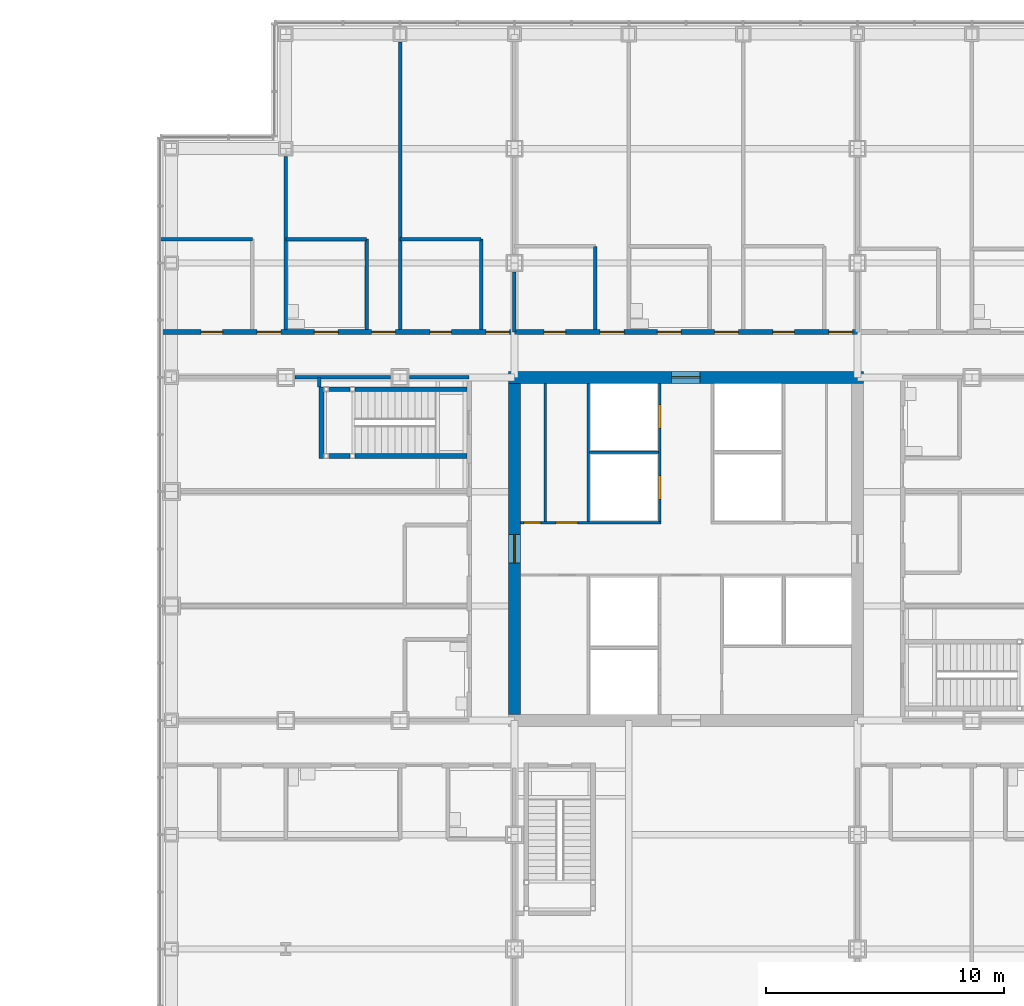
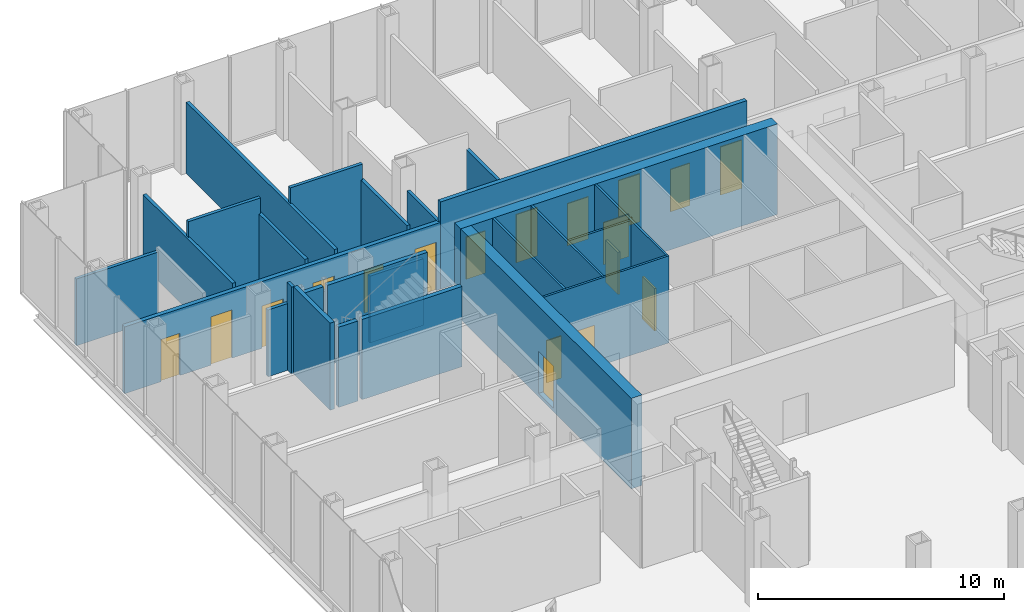
# One storey, part 21 of 25: 26 walls, 18 doors, 18 openings.
"""IFC4 building model written with IfcOpenShell, lengths in metres."""

from ifc_helpers import new_model, si_unit, direction, frame, frame_2d, origin, place, context, subcontext, project, spatial, rectangle, extrude, material, layer, layer_set, type_object, element, fill, save


model = new_model("IFC4")

# Units and contexts
model_context = context("Model", 3, precision=1e-05, world=origin(), true_north=direction((0.0, 1.0)))
body_context = subcontext(model_context, "Body", "Model", "MODEL_VIEW")
ifc_project = project(units=[si_unit("LENGTHUNIT", "METRE"), si_unit("AREAUNIT", "SQUARE_METRE"), si_unit("VOLUMEUNIT", "CUBIC_METRE"), si_unit("PLANEANGLEUNIT", "RADIAN"), si_unit("MASSUNIT", "GRAM", prefix="KILO")], contexts=[model_context])

# Site, building, storey
site_placement = place(None, origin())
site = spatial("IfcSite", under=ifc_project, at=site_placement, CompositionType="ELEMENT")
building_placement = place(site_placement, origin())
building = spatial("IfcBuilding", under=site, at=building_placement, Name="Kvirike Care Tower", CompositionType="ELEMENT")
storey_placement = place(building_placement, frame((0.0, 0.0, 13.5)))
storey = spatial("IfcBuildingStorey", under=building, at=storey_placement, Name="L03", CompositionType="ELEMENT", Elevation=13.5)

# Walls
ifc_material_1 = material(Name="Plasterboard partition", Category="gypsum")
ifc_layer_1 = layer(ifc_material_1, 0.14990234375)
ifc_layer_set_1 = layer_set([ifc_layer_1], Name="CLINIC PARTITION 150")
wall_type_1 = type_object("IfcWallType", Name="CLINIC PARTITION 150", PredefinedType="PARTITIONING", material=ifc_layer_set_1)
wall_1_placement = place(storey_placement, frame((6.199951171875, 43.199951171875, 0.0), z_axis=(0.0, 0.0, 1.0), x_axis=(0.0, -1.0, 0.0)))
element("IfcWall", 1, at=wall_1_placement, inside=storey, type_object=wall_type_1, Name="Clinic Partition 150 L03", PredefinedType="PARTITIONING", context=body_context, shape_type="SweptSolid", body=[
    extrude(rectangle(XDim=0.39990234375, YDim=0.14990234375, at=frame_2d((0.199951171875, 0.0))), origin(), (0.0, 0.0, 1.0), 4.330078125),
])
wall_2_placement = place(storey_placement, frame((13.0, 49.0, 0.0), z_axis=(0.0, 0.0, 1.0), x_axis=(0.0, -1.0, 0.0)))
element("IfcWall", 2, at=wall_2_placement, inside=storey, type_object=wall_type_1, Name="Clinic Partition 150 L03", PredefinedType="PARTITIONING", context=body_context, shape_type="SweptSolid", body=[
    extrude(rectangle(XDim=3.800048828125, YDim=0.14990234375, at=frame_2d((1.89990234375, 0.0))), origin(), (0.0, 0.0, 1.0), 3.550048828125),
])
wall_3_placement = place(storey_placement, frame((13.0, 49.0, 0.0), z_axis=(0.0, 0.0, 1.0), x_axis=(-1.0, 0.0, 0.0)))
element("IfcWall", 3, at=wall_3_placement, inside=storey, type_object=wall_type_1, Name="Clinic Partition 150 L03", PredefinedType="PARTITIONING", context=body_context, shape_type="SweptSolid", body=[
    extrude(rectangle(XDim=3.39990234375, YDim=0.14990234375, at=frame_2d((1.699951171875, 0.0))), origin(), (0.0, 0.0, 1.0), 4.330078125),
])
wall_4_placement = place(storey_placement, frame((8.199951171875, 49.0, 0.0), z_axis=(0.0, 0.0, 1.0), x_axis=(0.0, -1.0, 0.0)))
element("IfcWall", 4, at=wall_4_placement, inside=storey, type_object=wall_type_1, Name="Clinic Partition 150 L03", PredefinedType="PARTITIONING", context=body_context, shape_type="SweptSolid", body=[
    extrude(rectangle(XDim=3.800048828125, YDim=0.14990234375, at=frame_2d((1.89990234375, 0.0))), origin(), (0.0, 0.0, 1.0), 3.550048828125),
])
wall_5_placement = place(storey_placement, frame((8.199951171875, 49.0, 0.0), z_axis=(0.0, 0.0, 1.0), x_axis=(-1.0, 0.0, 0.0)))
element("IfcWall", 5, at=wall_5_placement, inside=storey, type_object=wall_type_1, Name="Clinic Partition 150 L03", PredefinedType="PARTITIONING", context=body_context, shape_type="SweptSolid", body=[
    extrude(rectangle(XDim=3.39990234375, YDim=0.14990234375, at=frame_2d((1.699951171875, 0.0))), origin(), (0.0, 0.0, 1.0), 4.330078125),
])
wall_6_placement = place(storey_placement, frame((3.39990234375, 49.0, 0.0), z_axis=(0.0, 0.0, 1.0), x_axis=(-1.0, 0.0, 0.0)))
element("IfcWall", 6, at=wall_6_placement, inside=storey, type_object=wall_type_1, Name="Clinic Partition 150 L03", PredefinedType="PARTITIONING", context=body_context, shape_type="SweptSolid", body=[
    extrude(rectangle(XDim=3.85498046875, YDim=0.14990234375, at=frame_2d((1.927490234375, 0.0))), origin(), (0.0, 0.0, 1.0), 3.320068359375),
])
wall_7_placement = place(storey_placement, frame((9.60009765625, 57.280029296875, 0.0), z_axis=(0.0, 0.0, 1.0), x_axis=(0.0, -1.0, 0.0)))
element("IfcWall", 7, at=wall_7_placement, inside=storey, type_object=wall_type_1, Name="Clinic Partition 150 L03", PredefinedType="PARTITIONING", context=body_context, shape_type="SweptSolid", body=[
    extrude(rectangle(XDim=12.080078125, YDim=0.14990234375, at=frame_2d((6.0400390625, 0.0))), origin(), (0.0, 0.0, 1.0), 3.550048828125),
])
wall_8_placement = place(storey_placement, frame((4.800048828125, 52.47998046875, 0.0), z_axis=(0.0, 0.0, 1.0), x_axis=(0.0, -1.0, 0.0)))
element("IfcWall", 8, at=wall_8_placement, inside=storey, type_object=wall_type_1, Name="Clinic Partition 150 L03", PredefinedType="PARTITIONING", context=body_context, shape_type="SweptSolid", body=[
    extrude(rectangle(XDim=7.280029296875, YDim=0.14990234375, at=frame_2d((3.64013671875, 0.0))), origin(), (0.0, 0.0, 1.0), 3.550048828125),
])
wall_9_placement = place(storey_placement, frame((17.800048828125, 48.699951171875, 0.0), z_axis=(0.0, 0.0, 1.0), x_axis=(0.0, -1.0, 0.0)))
element("IfcWall", 9, at=wall_9_placement, inside=storey, type_object=wall_type_1, Name="Clinic Partition 150 L03", PredefinedType="PARTITIONING", context=body_context, shape_type="SweptSolid", body=[
    extrude(rectangle(XDim=3.5, YDim=0.14990234375, at=frame_2d((1.75, 0.0))), origin(), (0.0, 0.0, 1.0), 3.550048828125),
])
wall_10_placement = place(storey_placement, frame((12.5, 43.199951171875, 0.0), z_axis=(0.0, 0.0, 1.0), x_axis=(-1.0, 0.0, 0.0)))
element("IfcWall", 10, at=wall_10_placement, inside=storey, type_object=wall_type_1, Name="Clinic Partition 150 L03", PredefinedType="PARTITIONING", context=body_context, shape_type="SweptSolid", body=[
    extrude(rectangle(XDim=2.5048828125, YDim=0.14990234375, at=frame_2d((1.25244140625, 0.0))), origin(), (0.0, 0.0, 1.0), 3.320068359375),
])
wall_11_placement = place(storey_placement, frame((9.205078125, 43.199951171875, 0.0), z_axis=(0.0, 0.0, 1.0), x_axis=(-1.0, 0.0, 0.0)))
element("IfcWall", 11, at=wall_11_placement, inside=storey, type_object=wall_type_1, Name="Clinic Partition 150 L03", PredefinedType="PARTITIONING", context=body_context, shape_type="SweptSolid", body=[
    extrude(rectangle(XDim=4.010009765625, YDim=0.14990234375, at=frame_2d((2.0048828125, 0.0))), origin(), (0.0, 0.0, 1.0), 3.320068359375),
])
wall_12_placement = place(storey_placement, frame((14.39990234375, 45.10009765625, 0.0), z_axis=(0.0, 0.0, 1.0), x_axis=(0.0, 1.0, 0.0)))
element("IfcWall", 12, at=wall_12_placement, inside=storey, type_object=wall_type_1, Name="Clinic Partition 150 L03", PredefinedType="PARTITIONING", context=body_context, shape_type="SweptSolid", body=[
    extrude(rectangle(XDim=2.52978515625, YDim=0.14990234375, at=frame_2d((1.264892578125, 0.0))), origin(), (0.0, 0.0, 1.0), 3.320068359375),
])

# Wall, opening, door
ifc_material_2 = material(Name="Concrete C60/75", Category="concrete")
ifc_layer_2 = layer(ifc_material_2, 0.5)
ifc_layer_set_2 = layer_set([ifc_layer_2], Name="CORE WALL 500 C60-75")
wall_type_2 = type_object("IfcWallType", Name="CORE WALL 500 C60-75", PredefinedType="SHEAR", material=ifc_layer_set_2)
wall_13_placement = place(storey_placement, frame((29.050048828125, 43.199951171875, -0.169921875), z_axis=(0.0, 0.0, 1.0), x_axis=(-1.0, 0.0, 0.0)))
wall_13 = element("IfcWall", 13, at=wall_13_placement, inside=storey, type_object=wall_type_2, Name="Core wall N L03", PredefinedType="SHEAR", context=body_context, shape_type="SweptSolid", body=[
    extrude(rectangle(XDim=14.900146484375, YDim=0.5, at=frame_2d((7.4501953125, 0.0))), origin(), (0.0, 0.0, 1.0), 4.5),
])
opening_1_placement = place(wall_13_placement, frame((6.85009765625, 0.0, 0.169921875)))
opening_1 = element("IfcOpeningElement", 14, at=opening_1_placement, cuts=wall_13, Name="Opening 03-061", PredefinedType="OPENING", context=body_context, shape_type="SweptSolid", body=[
    extrude(rectangle(XDim=1.199951171875, YDim=2.10009765625, at=frame_2d((0.60009765625, 1.050048828125))), frame((0.0, 0.260498046875, 0.0), z_axis=(0.0, -1.0, 0.0), x_axis=(1.0, 0.0, 0.0)), (0.0, 0.0, 1.0), 0.52099609375),
])
ifc_material_3 = material(Name="Timber door set", Category="wood")
door_type_1 = type_object("IfcDoorType", Name="CORE DOOR 1200", OperationType="SINGLE_SWING_LEFT", PredefinedType="DOOR", material=ifc_material_3)
door_1_placement = place(opening_1_placement, origin())
door_1 = element("IfcDoor", 15, at=door_1_placement, inside=storey, type_object=door_type_1, Name="Core door N L03", OperationType="SINGLE_SWING_LEFT", OverallHeight=2.10009765625, OverallWidth=1.199951171875, PredefinedType="DOOR", context=body_context, shape_type="SweptSolid", body=[
    extrude(rectangle(XDim=1.199951171875, YDim=2.10009765625, at=frame_2d((0.60009765625, 1.050048828125))), frame((0.0, 0.02685546875, 0.0), z_axis=(0.0, -1.0, 0.0), x_axis=(1.0, 0.0, 0.0)), (0.0, 0.0, 1.0), 0.053955078125),
])
fill(opening_1, door_1)

wall_14_placement = place(storey_placement, frame((14.39990234375, 42.949951171875, -0.169921875), z_axis=(0.0, 0.0, 1.0), x_axis=(0.0, -1.0, 0.0)))
wall_14 = element("IfcWall", 16, at=wall_14_placement, inside=storey, type_object=wall_type_2, Name="Core wall W L03", PredefinedType="SHEAR", context=body_context, shape_type="SweptSolid", body=[
    extrude(rectangle(XDim=13.89990234375, YDim=0.5, at=frame_2d((6.949951171875, 0.0))), origin(), (0.0, 0.0, 1.0), 4.5),
])
opening_2_placement = place(wall_14_placement, frame((6.35009765625, 0.0, 0.169921875)))
opening_2 = element("IfcOpeningElement", 17, at=opening_2_placement, cuts=wall_14, Name="Opening 03-059", PredefinedType="OPENING", context=body_context, shape_type="SweptSolid", body=[
    extrude(rectangle(XDim=1.199951171875, YDim=2.10009765625, at=frame_2d((0.60009765625, 1.050048828125))), frame((0.0, 0.260498046875, 0.0), z_axis=(0.0, -1.0, 0.0), x_axis=(1.0, 0.0, 0.0)), (0.0, 0.0, 1.0), 0.52099609375),
])
door_2_placement = place(opening_2_placement, origin())
door_2 = element("IfcDoor", 18, at=door_2_placement, inside=storey, type_object=door_type_1, Name="Core door W L03", OperationType="SINGLE_SWING_LEFT", OverallHeight=2.10009765625, OverallWidth=1.199951171875, PredefinedType="DOOR", context=body_context, shape_type="SweptSolid", body=[
    extrude(rectangle(XDim=1.199951171875, YDim=2.10009765625, at=frame_2d((0.60009765625, 1.050048828125))), frame((0.0, 0.02685546875, 0.0), z_axis=(0.0, -1.0, 0.0), x_axis=(1.0, 0.0, 0.0)), (0.0, 0.0, 1.0), 0.053955078125),
])
fill(opening_2, door_2)

# Wall, openings, doors
ifc_material_4 = material(Name="Plasterboard corridor wall", Category="gypsum")
ifc_layer_3 = layer(ifc_material_4, 0.199951171875)
ifc_layer_set_3 = layer_set([ifc_layer_3], Name="CORRIDOR WALL 200")
wall_type_3 = type_object("IfcWallType", Name="CORRIDOR WALL 200", PredefinedType="PARTITIONING", material=ifc_layer_set_3)
wall_15_placement = place(storey_placement, frame((14.39990234375, 45.10009765625, 0.0), z_axis=(0.0, 0.0, 1.0), x_axis=(-1.0, 0.0, 0.0)))
wall_15 = element("IfcWall", 19, at=wall_15_placement, inside=storey, type_object=wall_type_3, Name="Corridor Wall 200 L03", PredefinedType="PARTITIONING", context=body_context, shape_type="SweptSolid", body=[
    extrude(rectangle(XDim=14.85498046875, YDim=0.199951171875, at=frame_2d((7.427490234375, 0.0))), origin(), (0.0, 0.0, 1.0), 3.320068359375),
])
opening_3_placement = place(wall_15_placement, frame((0.199951171875, 0.0, 0.0)))
opening_3 = element("IfcOpeningElement", 20, at=opening_3_placement, cuts=wall_15, Name="Opening 03-012", PredefinedType="OPENING", context=body_context, shape_type="SweptSolid", body=[
    extrude(rectangle(XDim=1.0, YDim=2.39990234375, at=frame_2d((0.5, 1.199951171875))), frame((0.0, 0.110595703125, 0.0), z_axis=(0.0, -1.0, 0.0), x_axis=(1.0, 0.0, 0.0)), (0.0, 0.0, 1.0), 0.220947265625),
])
opening_4_placement = place(wall_15_placement, frame((5.0, 0.0, 0.0)))
opening_4 = element("IfcOpeningElement", 21, at=opening_4_placement, cuts=wall_15, Name="Opening 03-013", PredefinedType="OPENING", context=body_context, shape_type="SweptSolid", body=[
    extrude(rectangle(XDim=1.0, YDim=2.39990234375, at=frame_2d((0.5, 1.199951171875))), frame((0.0, 0.110595703125, 0.0), z_axis=(0.0, -1.0, 0.0), x_axis=(1.0, 0.0, 0.0)), (0.0, 0.0, 1.0), 0.220947265625),
])
opening_5_placement = place(wall_15_placement, frame((9.800048828125, 0.0, 0.0)))
opening_5 = element("IfcOpeningElement", 22, at=opening_5_placement, cuts=wall_15, Name="Opening 03-014", PredefinedType="OPENING", context=body_context, shape_type="SweptSolid", body=[
    extrude(rectangle(XDim=1.0, YDim=2.39990234375, at=frame_2d((0.5, 1.199951171875))), frame((0.0, 0.110595703125, 0.0), z_axis=(0.0, -1.0, 0.0), x_axis=(1.0, 0.0, 0.0)), (0.0, 0.0, 1.0), 0.220947265625),
])
opening_6_placement = place(wall_15_placement, frame((2.64990234375, 0.0, 0.0)))
opening_6 = element("IfcOpeningElement", 23, at=opening_6_placement, cuts=wall_15, Name="Opening 03-015", PredefinedType="OPENING", context=body_context, shape_type="SweptSolid", body=[
    extrude(rectangle(XDim=0.89990234375, YDim=2.10009765625, at=frame_2d((0.449951171875, 1.050048828125))), frame((0.0, 0.110595703125, 0.0), z_axis=(0.0, -1.0, 0.0), x_axis=(1.0, 0.0, 0.0)), (0.0, 0.0, 1.0), 0.220947265625),
])
opening_7_placement = place(wall_15_placement, frame((7.39990234375, 0.0, 0.0)))
opening_7 = element("IfcOpeningElement", 24, at=opening_7_placement, cuts=wall_15, Name="Opening 03-016", PredefinedType="OPENING", context=body_context, shape_type="SweptSolid", body=[
    extrude(rectangle(XDim=1.0, YDim=2.10009765625, at=frame_2d((0.5, 1.050048828125))), frame((0.0, 0.110595703125, 0.0), z_axis=(0.0, -1.0, 0.0), x_axis=(1.0, 0.0, 0.0)), (0.0, 0.0, 1.0), 0.220947265625),
])
opening_8_placement = place(wall_15_placement, frame((12.25, 0.0, 0.0)))
opening_8 = element("IfcOpeningElement", 25, at=opening_8_placement, cuts=wall_15, Name="Opening 03-017", PredefinedType="OPENING", context=body_context, shape_type="SweptSolid", body=[
    extrude(rectangle(XDim=0.89990234375, YDim=2.10009765625, at=frame_2d((0.449951171875, 1.050048828125))), frame((0.0, 0.110595703125, 0.0), z_axis=(0.0, -1.0, 0.0), x_axis=(1.0, 0.0, 0.0)), (0.0, 0.0, 1.0), 0.220947265625),
])
ifc_material_5 = material(Name="Timber door set", Category="wood")
door_type_2 = type_object("IfcDoorType", Name="CONSULTING ROOM DOOR 1000", OperationType="SINGLE_SWING_LEFT", PredefinedType="DOOR", material=ifc_material_5)
door_3_placement = place(opening_3_placement, frame((1.0, 0.0, 0.0), z_axis=(0.0, 0.0, 1.0), x_axis=(-1.0, 0.0, 0.0)))
door_3 = element("IfcDoor", 26, at=door_3_placement, inside=storey, type_object=door_type_2, Name="Restaurant kitchen door", OperationType="SINGLE_SWING_RIGHT", OverallHeight=2.39990234375, OverallWidth=1.0, PredefinedType="DOOR", context=body_context, shape_type="SweptSolid", body=[
    extrude(rectangle(XDim=1.0, YDim=2.39990234375, at=frame_2d((0.5, 1.199951171875))), frame((0.0, 0.02685546875, 0.0), z_axis=(0.0, -1.0, 0.0), x_axis=(1.0, 0.0, 0.0)), (0.0, 0.0, 1.0), 0.053955078125),
])
fill(opening_3, door_3)
door_4_placement = place(opening_4_placement, frame((1.0, 0.0, 0.0), z_axis=(0.0, 0.0, 1.0), x_axis=(-1.0, 0.0, 0.0)))
door_4 = element("IfcDoor", 27, at=door_4_placement, inside=storey, type_object=door_type_2, Name="Restaurant kitchen door", OperationType="SINGLE_SWING_LEFT", OverallHeight=2.39990234375, OverallWidth=1.0, PredefinedType="DOOR", context=body_context, shape_type="SweptSolid", body=[
    extrude(rectangle(XDim=1.0, YDim=2.39990234375, at=frame_2d((0.5, 1.199951171875))), frame((0.0, 0.02685546875, 0.0), z_axis=(0.0, -1.0, 0.0), x_axis=(1.0, 0.0, 0.0)), (0.0, 0.0, 1.0), 0.053955078125),
])
fill(opening_4, door_4)
door_5_placement = place(opening_5_placement, frame((1.0, 0.0, 0.0), z_axis=(0.0, 0.0, 1.0), x_axis=(-1.0, 0.0, 0.0)))
door_5 = element("IfcDoor", 28, at=door_5_placement, inside=storey, type_object=door_type_2, Name="Cold store door", OperationType="SINGLE_SWING_RIGHT", OverallHeight=2.39990234375, OverallWidth=1.0, PredefinedType="DOOR", context=body_context, shape_type="SweptSolid", body=[
    extrude(rectangle(XDim=1.0, YDim=2.39990234375, at=frame_2d((0.5, 1.199951171875))), frame((0.0, 0.02685546875, 0.0), z_axis=(0.0, -1.0, 0.0), x_axis=(1.0, 0.0, 0.0)), (0.0, 0.0, 1.0), 0.053955078125),
])
fill(opening_5, door_5)
ifc_material_6 = material(Name="Timber door set", Category="wood")
door_type_3 = type_object("IfcDoorType", Name="STORE DOOR 900", OperationType="SINGLE_SWING_LEFT", PredefinedType="DOOR", material=ifc_material_6)
door_6_placement = place(opening_6_placement, frame((0.89990234375, 0.0, 0.0), z_axis=(0.0, 0.0, 1.0), x_axis=(-1.0, 0.0, 0.0)))
door_6 = element("IfcDoor", 29, at=door_6_placement, inside=storey, type_object=door_type_3, Name="Store door", OperationType="SINGLE_SWING_RIGHT", OverallHeight=2.10009765625, OverallWidth=0.89990234375, PredefinedType="DOOR", context=body_context, shape_type="SweptSolid", body=[
    extrude(rectangle(XDim=0.89990234375, YDim=2.10009765625, at=frame_2d((0.449951171875, 1.050048828125))), frame((0.0, 0.02685546875, 0.0), z_axis=(0.0, -1.0, 0.0), x_axis=(1.0, 0.0, 0.0)), (0.0, 0.0, 1.0), 0.053955078125),
])
fill(opening_6, door_6)
door_7_placement = place(opening_8_placement, frame((0.89990234375, 0.0, 0.0), z_axis=(0.0, 0.0, 1.0), x_axis=(-1.0, 0.0, 0.0)))
door_7 = element("IfcDoor", 30, at=door_7_placement, inside=storey, type_object=door_type_3, Name="Store door", OperationType="SINGLE_SWING_LEFT", OverallHeight=2.10009765625, OverallWidth=0.89990234375, PredefinedType="DOOR", context=body_context, shape_type="SweptSolid", body=[
    extrude(rectangle(XDim=0.89990234375, YDim=2.10009765625, at=frame_2d((0.449951171875, 1.050048828125))), frame((0.0, 0.02685546875, 0.0), z_axis=(0.0, -1.0, 0.0), x_axis=(1.0, 0.0, 0.0)), (0.0, 0.0, 1.0), 0.053955078125),
])
fill(opening_8, door_7)
ifc_material_7 = material(Name="Timber door set", Category="wood")
door_type_4 = type_object("IfcDoorType", Name="WC DOOR 1000", OperationType="SINGLE_SWING_LEFT", PredefinedType="DOOR", material=ifc_material_7)
door_8_placement = place(opening_7_placement, frame((1.0, 0.0, 0.0), z_axis=(0.0, 0.0, 1.0), x_axis=(-1.0, 0.0, 0.0)))
door_8 = element("IfcDoor", 31, at=door_8_placement, inside=storey, type_object=door_type_4, Name="Staff WC door", OperationType="SINGLE_SWING_LEFT", OverallHeight=2.10009765625, OverallWidth=1.0, PredefinedType="DOOR", context=body_context, shape_type="SweptSolid", body=[
    extrude(rectangle(XDim=1.0, YDim=2.10009765625, at=frame_2d((0.5, 1.050048828125))), frame((0.0, 0.02685546875, 0.0), z_axis=(0.0, -1.0, 0.0), x_axis=(1.0, 0.0, 0.0)), (0.0, 0.0, 1.0), 0.053955078125),
])
fill(opening_7, door_8)

wall_16_placement = place(storey_placement, frame((28.800048828125, 45.10009765625, 0.0), z_axis=(0.0, 0.0, 1.0), x_axis=(-1.0, 0.0, 0.0)))
wall_16 = element("IfcWall", 32, at=wall_16_placement, inside=storey, type_object=wall_type_3, Name="Corridor Wall 200 L03", PredefinedType="PARTITIONING", context=body_context, shape_type="SweptSolid", body=[
    extrude(rectangle(XDim=14.400146484375, YDim=0.199951171875, at=frame_2d((7.2001953125, 0.0))), origin(), (0.0, 0.0, 1.0), 4.330078125),
])
opening_9_placement = place(wall_16_placement, frame((0.199951171875, 0.0, 0.0)))
opening_9 = element("IfcOpeningElement", 33, at=opening_9_placement, cuts=wall_16, Name="Opening 03-019", PredefinedType="OPENING", context=body_context, shape_type="SweptSolid", body=[
    extrude(rectangle(XDim=1.0, YDim=2.39990234375, at=frame_2d((0.5, 1.199951171875))), frame((0.0, 0.110595703125, 0.0), z_axis=(0.0, -1.0, 0.0), x_axis=(1.0, 0.0, 0.0)), (0.0, 0.0, 1.0), 0.220947265625),
])
opening_10_placement = place(wall_16_placement, frame((5.0, 0.0, 0.0)))
opening_10 = element("IfcOpeningElement", 34, at=opening_10_placement, cuts=wall_16, Name="Opening 03-020", PredefinedType="OPENING", context=body_context, shape_type="SweptSolid", body=[
    extrude(rectangle(XDim=1.0, YDim=2.39990234375, at=frame_2d((0.5, 1.199951171875))), frame((0.0, 0.110595703125, 0.0), z_axis=(0.0, -1.0, 0.0), x_axis=(1.0, 0.0, 0.0)), (0.0, 0.0, 1.0), 0.220947265625),
])
opening_11_placement = place(wall_16_placement, frame((9.800048828125, 0.0, 0.0)))
opening_11 = element("IfcOpeningElement", 35, at=opening_11_placement, cuts=wall_16, Name="Opening 03-021", PredefinedType="OPENING", context=body_context, shape_type="SweptSolid", body=[
    extrude(rectangle(XDim=1.0, YDim=2.39990234375, at=frame_2d((0.5, 1.199951171875))), frame((0.0, 0.110595703125, 0.0), z_axis=(0.0, -1.0, 0.0), x_axis=(1.0, 0.0, 0.0)), (0.0, 0.0, 1.0), 0.220947265625),
])
opening_12_placement = place(wall_16_placement, frame((2.64990234375, 0.0, 0.0)))
opening_12 = element("IfcOpeningElement", 36, at=opening_12_placement, cuts=wall_16, Name="Opening 03-022", PredefinedType="OPENING", context=body_context, shape_type="SweptSolid", body=[
    extrude(rectangle(XDim=0.89990234375, YDim=2.10009765625, at=frame_2d((0.449951171875, 1.050048828125))), frame((0.0, 0.110595703125, 0.0), z_axis=(0.0, -1.0, 0.0), x_axis=(1.0, 0.0, 0.0)), (0.0, 0.0, 1.0), 0.220947265625),
])
opening_13_placement = place(wall_16_placement, frame((7.39990234375, 0.0, 0.0)))
opening_13 = element("IfcOpeningElement", 37, at=opening_13_placement, cuts=wall_16, Name="Opening 03-023", PredefinedType="OPENING", context=body_context, shape_type="SweptSolid", body=[
    extrude(rectangle(XDim=1.0, YDim=2.10009765625, at=frame_2d((0.5, 1.050048828125))), frame((0.0, 0.110595703125, 0.0), z_axis=(0.0, -1.0, 0.0), x_axis=(1.0, 0.0, 0.0)), (0.0, 0.0, 1.0), 0.220947265625),
])
opening_14_placement = place(wall_16_placement, frame((12.25, 0.0, 0.0)))
opening_14 = element("IfcOpeningElement", 38, at=opening_14_placement, cuts=wall_16, Name="Opening 03-024", PredefinedType="OPENING", context=body_context, shape_type="SweptSolid", body=[
    extrude(rectangle(XDim=0.89990234375, YDim=2.10009765625, at=frame_2d((0.449951171875, 1.050048828125))), frame((0.0, 0.110595703125, 0.0), z_axis=(0.0, -1.0, 0.0), x_axis=(1.0, 0.0, 0.0)), (0.0, 0.0, 1.0), 0.220947265625),
])
door_9_placement = place(opening_9_placement, frame((1.0, 0.0, 0.0), z_axis=(0.0, 0.0, 1.0), x_axis=(-1.0, 0.0, 0.0)))
door_9 = element("IfcDoor", 39, at=door_9_placement, inside=storey, type_object=door_type_2, Name="Activity room door", OperationType="SINGLE_SWING_LEFT", OverallHeight=2.39990234375, OverallWidth=1.0, PredefinedType="DOOR", context=body_context, shape_type="SweptSolid", body=[
    extrude(rectangle(XDim=1.0, YDim=2.39990234375, at=frame_2d((0.5, 1.199951171875))), frame((0.0, 0.02685546875, 0.0), z_axis=(0.0, -1.0, 0.0), x_axis=(1.0, 0.0, 0.0)), (0.0, 0.0, 1.0), 0.053955078125),
])
fill(opening_9, door_9)
door_10_placement = place(opening_10_placement, frame((1.0, 0.0, 0.0), z_axis=(0.0, 0.0, 1.0), x_axis=(-1.0, 0.0, 0.0)))
door_10 = element("IfcDoor", 40, at=door_10_placement, inside=storey, type_object=door_type_2, Name="Craft room door", OperationType="SINGLE_SWING_LEFT", OverallHeight=2.39990234375, OverallWidth=1.0, PredefinedType="DOOR", context=body_context, shape_type="SweptSolid", body=[
    extrude(rectangle(XDim=1.0, YDim=2.39990234375, at=frame_2d((0.5, 1.199951171875))), frame((0.0, 0.02685546875, 0.0), z_axis=(0.0, -1.0, 0.0), x_axis=(1.0, 0.0, 0.0)), (0.0, 0.0, 1.0), 0.053955078125),
])
fill(opening_10, door_10)
door_11_placement = place(opening_11_placement, frame((1.0, 0.0, 0.0), z_axis=(0.0, 0.0, 1.0), x_axis=(-1.0, 0.0, 0.0)))
door_11 = element("IfcDoor", 41, at=door_11_placement, inside=storey, type_object=door_type_2, Name="Music room door", OperationType="SINGLE_SWING_LEFT", OverallHeight=2.39990234375, OverallWidth=1.0, PredefinedType="DOOR", context=body_context, shape_type="SweptSolid", body=[
    extrude(rectangle(XDim=1.0, YDim=2.39990234375, at=frame_2d((0.5, 1.199951171875))), frame((0.0, 0.02685546875, 0.0), z_axis=(0.0, -1.0, 0.0), x_axis=(1.0, 0.0, 0.0)), (0.0, 0.0, 1.0), 0.053955078125),
])
fill(opening_11, door_11)
door_12_placement = place(opening_12_placement, frame((0.89990234375, 0.0, 0.0), z_axis=(0.0, 0.0, 1.0), x_axis=(-1.0, 0.0, 0.0)))
door_12 = element("IfcDoor", 42, at=door_12_placement, inside=storey, type_object=door_type_3, Name="Store door", OperationType="SINGLE_SWING_LEFT", OverallHeight=2.10009765625, OverallWidth=0.89990234375, PredefinedType="DOOR", context=body_context, shape_type="SweptSolid", body=[
    extrude(rectangle(XDim=0.89990234375, YDim=2.10009765625, at=frame_2d((0.449951171875, 1.050048828125))), frame((0.0, 0.02685546875, 0.0), z_axis=(0.0, -1.0, 0.0), x_axis=(1.0, 0.0, 0.0)), (0.0, 0.0, 1.0), 0.053955078125),
])
fill(opening_12, door_12)
door_13_placement = place(opening_14_placement, frame((0.89990234375, 0.0, 0.0), z_axis=(0.0, 0.0, 1.0), x_axis=(-1.0, 0.0, 0.0)))
door_13 = element("IfcDoor", 43, at=door_13_placement, inside=storey, type_object=door_type_3, Name="Store door", OperationType="SINGLE_SWING_RIGHT", OverallHeight=2.10009765625, OverallWidth=0.89990234375, PredefinedType="DOOR", context=body_context, shape_type="SweptSolid", body=[
    extrude(rectangle(XDim=0.89990234375, YDim=2.10009765625, at=frame_2d((0.449951171875, 1.050048828125))), frame((0.0, 0.02685546875, 0.0), z_axis=(0.0, -1.0, 0.0), x_axis=(1.0, 0.0, 0.0)), (0.0, 0.0, 1.0), 0.053955078125),
])
fill(opening_14, door_13)
door_14_placement = place(opening_13_placement, frame((1.0, 0.0, 0.0), z_axis=(0.0, 0.0, 1.0), x_axis=(-1.0, 0.0, 0.0)))
door_14 = element("IfcDoor", 44, at=door_14_placement, inside=storey, type_object=door_type_4, Name="Accessible WC door", OperationType="SINGLE_SWING_RIGHT", OverallHeight=2.10009765625, OverallWidth=1.0, PredefinedType="DOOR", context=body_context, shape_type="SweptSolid", body=[
    extrude(rectangle(XDim=1.0, YDim=2.10009765625, at=frame_2d((0.5, 1.050048828125))), frame((0.0, 0.02685546875, 0.0), z_axis=(0.0, -1.0, 0.0), x_axis=(1.0, 0.0, 0.0)), (0.0, 0.0, 1.0), 0.053955078125),
])
fill(opening_13, door_14)

# Wall
ifc_material_8 = material(Name="Gypsum shaft wall system", Category="gypsum")
ifc_layer_4 = layer(ifc_material_8, 0.10009765625)
ifc_layer_set_4 = layer_set([ifc_layer_4], Name="SHAFT WALL 100")
wall_type_4 = type_object("IfcWallType", Name="SHAFT WALL 100", PredefinedType="SOLIDWALL", material=ifc_layer_set_4)
wall_17_placement = place(storey_placement, frame((15.699951171875, 37.14990234375, 0.0), z_axis=(0.0, 0.0, 1.0), x_axis=(0.0, 1.0, 0.0)))
element("IfcWall", 45, at=wall_17_placement, inside=storey, type_object=wall_type_4, Name="Shaft Wall 100 L03", PredefinedType="SOLIDWALL", context=body_context, shape_type="SweptSolid", body=[
    extrude(rectangle(XDim=5.800048828125, YDim=0.10009765625, at=frame_2d((2.89990234375, 0.0))), origin(), (0.0, 0.0, 1.0), 4.330078125),
])

# Wall, openings, doors
wall_18_placement = place(storey_placement, frame((20.5, 37.14990234375, 0.0), z_axis=(0.0, 0.0, 1.0), x_axis=(0.0, 1.0, 0.0)))
wall_18 = element("IfcWall", 46, at=wall_18_placement, inside=storey, type_object=wall_type_4, Name="Shaft Wall 100 L03", PredefinedType="SOLIDWALL", context=body_context, shape_type="SweptSolid", body=[
    extrude(rectangle(XDim=5.800048828125, YDim=0.10009765625, at=frame_2d((2.89990234375, 0.0))), origin(), (0.0, 0.0, 1.0), 4.330078125),
])
opening_15_placement = place(wall_18_placement, frame((0.925048828125, 0.0, 0.0)))
opening_15 = element("IfcOpeningElement", 47, at=opening_15_placement, cuts=wall_18, Name="Opening 03-049", PredefinedType="OPENING", context=body_context, shape_type="SweptSolid", body=[
    extrude(rectangle(XDim=1.0, YDim=2.10009765625, at=frame_2d((0.5, 1.050048828125))), frame((0.0, 0.060546875, 0.0), z_axis=(0.0, -1.0, 0.0), x_axis=(1.0, 0.0, 0.0)), (0.0, 0.0, 1.0), 0.12109375),
])
opening_16_placement = place(wall_18_placement, frame((3.89990234375, 0.0, 0.0)))
opening_16 = element("IfcOpeningElement", 48, at=opening_16_placement, cuts=wall_18, Name="Opening 03-050", PredefinedType="OPENING", context=body_context, shape_type="SweptSolid", body=[
    extrude(rectangle(XDim=1.0, YDim=2.10009765625, at=frame_2d((0.5, 1.050048828125))), frame((0.0, 0.060546875, 0.0), z_axis=(0.0, -1.0, 0.0), x_axis=(1.0, 0.0, 0.0)), (0.0, 0.0, 1.0), 0.12109375),
])
ifc_material_9 = material(Name="Aluminium door frame", Category="aluminium")
door_type_5 = type_object("IfcDoorType", Name="LIFT LANDING DOOR 1000", OperationType="SLIDING_TO_LEFT", PredefinedType="DOOR", material=ifc_material_9)
door_15_placement = place(opening_15_placement, origin())
door_15 = element("IfcDoor", 49, at=door_15_placement, inside=storey, type_object=door_type_5, Name="Lift P1 landing door", OperationType="SLIDING_TO_LEFT", OverallHeight=2.10009765625, OverallWidth=1.0, PredefinedType="DOOR", context=body_context, shape_type="SweptSolid", body=[
    extrude(rectangle(XDim=1.0, YDim=2.10009765625, at=frame_2d((0.5, 1.050048828125))), frame((0.0, 0.0498046875, 0.0), z_axis=(0.0, -1.0, 0.0), x_axis=(1.0, 0.0, 0.0)), (0.0, 0.0, 1.0), 0.099609375),
])
fill(opening_15, door_15)
door_16_placement = place(opening_16_placement, origin())
door_16 = element("IfcDoor", 50, at=door_16_placement, inside=storey, type_object=door_type_5, Name="Lift P2 landing door", OperationType="SLIDING_TO_LEFT", OverallHeight=2.10009765625, OverallWidth=1.0, PredefinedType="DOOR", context=body_context, shape_type="SweptSolid", body=[
    extrude(rectangle(XDim=1.0, YDim=2.10009765625, at=frame_2d((0.5, 1.050048828125))), frame((0.0, 0.0498046875, 0.0), z_axis=(0.0, -1.0, 0.0), x_axis=(1.0, 0.0, 0.0)), (0.0, 0.0, 1.0), 0.099609375),
])
fill(opening_16, door_16)

wall_19_placement = place(storey_placement, frame((14.64990234375, 37.10009765625, 0.0), z_axis=(0.0, 0.0, 1.0), x_axis=(1.0, 0.0, 0.0)))
wall_19 = element("IfcWall", 51, at=wall_19_placement, inside=storey, type_object=wall_type_4, Name="Shaft Wall 100 L03", PredefinedType="SOLIDWALL", context=body_context, shape_type="SweptSolid", body=[
    extrude(rectangle(XDim=5.900146484375, YDim=0.10009765625, at=frame_2d((2.9501953125, 0.0))), origin(), (0.0, 0.0, 1.0), 4.330078125),
])
opening_17_placement = place(wall_19_placement, frame((0.14990234375, 0.0, 0.0)))
opening_17 = element("IfcOpeningElement", 52, at=opening_17_placement, cuts=wall_19, Name="Opening 03-053", PredefinedType="OPENING", context=body_context, shape_type="SweptSolid", body=[
    extrude(rectangle(XDim=0.699951171875, YDim=2.10009765625, at=frame_2d((0.35009765625, 1.050048828125))), frame((0.0, 0.060546875, 0.0), z_axis=(0.0, -1.0, 0.0), x_axis=(1.0, 0.0, 0.0)), (0.0, 0.0, 1.0), 0.12109375),
])
opening_18_placement = place(wall_19_placement, frame((1.5, 0.0, 0.0)))
opening_18 = element("IfcOpeningElement", 53, at=opening_18_placement, cuts=wall_19, Name="Opening 03-054", PredefinedType="OPENING", context=body_context, shape_type="SweptSolid", body=[
    extrude(rectangle(XDim=0.89990234375, YDim=2.10009765625, at=frame_2d((0.449951171875, 1.050048828125))), frame((0.0, 0.060546875, 0.0), z_axis=(0.0, -1.0, 0.0), x_axis=(1.0, 0.0, 0.0)), (0.0, 0.0, 1.0), 0.12109375),
])
ifc_material_10 = material(Name="Timber door set", Category="wood")
door_type_6 = type_object("IfcDoorType", Name="RISER DOOR 700", OperationType="SINGLE_SWING_LEFT", PredefinedType="DOOR", material=ifc_material_10)
door_17_placement = place(opening_17_placement, origin())
door_17 = element("IfcDoor", 54, at=door_17_placement, inside=storey, type_object=door_type_6, Name="Riser door", OperationType="SINGLE_SWING_LEFT", OverallHeight=2.10009765625, OverallWidth=0.699951171875, PredefinedType="DOOR", context=body_context, shape_type="SweptSolid", body=[
    extrude(rectangle(XDim=0.699951171875, YDim=2.10009765625, at=frame_2d((0.35009765625, 1.050048828125))), frame((0.0, 0.02685546875, 0.0), z_axis=(0.0, -1.0, 0.0), x_axis=(1.0, 0.0, 0.0)), (0.0, 0.0, 1.0), 0.053955078125),
])
fill(opening_17, door_17)
door_18_placement = place(opening_18_placement, origin())
door_18 = element("IfcDoor", 55, at=door_18_placement, inside=storey, type_object=door_type_3, Name="Vending and ice room door", OperationType="SINGLE_SWING_LEFT", OverallHeight=2.10009765625, OverallWidth=0.89990234375, PredefinedType="DOOR", context=body_context, shape_type="SweptSolid", body=[
    extrude(rectangle(XDim=0.89990234375, YDim=2.10009765625, at=frame_2d((0.449951171875, 1.050048828125))), frame((0.0, 0.02685546875, 0.0), z_axis=(0.0, -1.0, 0.0), x_axis=(1.0, 0.0, 0.0)), (0.0, 0.0, 1.0), 0.053955078125),
])
fill(opening_18, door_18)

# Walls
wall_20_placement = place(storey_placement, frame((17.5, 37.14990234375, 0.0), z_axis=(0.0, 0.0, 1.0), x_axis=(0.0, 1.0, 0.0)))
element("IfcWall", 56, at=wall_20_placement, inside=storey, type_object=wall_type_4, Name="Shaft Wall 100 L03", PredefinedType="SOLIDWALL", context=body_context, shape_type="SweptSolid", body=[
    extrude(rectangle(XDim=5.800048828125, YDim=0.10009765625, at=frame_2d((2.89990234375, 0.0))), origin(), (0.0, 0.0, 1.0), 4.330078125),
])
wall_21_placement = place(storey_placement, frame((17.550048828125, 40.050048828125, 0.0), z_axis=(0.0, 0.0, 1.0), x_axis=(1.0, 0.0, 0.0)))
element("IfcWall", 57, at=wall_21_placement, inside=storey, type_object=wall_type_4, Name="Shaft Wall 100 L03", PredefinedType="SOLIDWALL", context=body_context, shape_type="SweptSolid", body=[
    extrude(rectangle(XDim=2.89990234375, YDim=0.10009765625, at=frame_2d((1.449951171875, 0.0))), origin(), (0.0, 0.0, 1.0), 4.330078125),
])
ifc_material_11 = material(Name="Concrete C40/50", Category="concrete")
ifc_layer_5 = layer(ifc_material_11, 0.199951171875)
ifc_layer_set_5 = layer_set([ifc_layer_5], Name="STAIR WALL 200")
wall_type_5 = type_object("IfcWallType", Name="STAIR WALL 200", PredefinedType="SOLIDWALL", material=ifc_layer_set_5)
wall_22_placement = place(storey_placement, frame((6.60009765625, 42.699951171875, 0.0), z_axis=(0.0, 0.0, 1.0), x_axis=(1.0, 0.0, 0.0)))
element("IfcWall", 58, at=wall_22_placement, inside=storey, type_object=wall_type_5, Name="Stair Wall 200 L03", PredefinedType="SOLIDWALL", context=body_context, shape_type="SweptSolid", body=[
    extrude(rectangle(XDim=0.89990234375, YDim=0.199951171875, at=frame_2d((0.449951171875, 0.0))), origin(), (0.0, 0.0, 1.0), 3.989990234375),
])
wall_23_placement = place(storey_placement, frame((7.699951171875, 42.699951171875, 0.0), z_axis=(0.0, 0.0, 1.0), x_axis=(1.0, 0.0, 0.0)))
element("IfcWall", 59, at=wall_23_placement, inside=storey, type_object=wall_type_5, Name="Stair Wall 200 L03", PredefinedType="SOLIDWALL", context=body_context, shape_type="SweptSolid", body=[
    extrude(rectangle(XDim=4.699951171875, YDim=0.199951171875, at=frame_2d((2.35009765625, 0.0))), origin(), (0.0, 0.0, 1.0), 3.989990234375),
])
wall_24_placement = place(storey_placement, frame((6.60009765625, 39.89990234375, 0.0), z_axis=(0.0, 0.0, 1.0), x_axis=(1.0, 0.0, 0.0)))
element("IfcWall", 60, at=wall_24_placement, inside=storey, type_object=wall_type_5, Name="Stair Wall 200 L03", PredefinedType="SOLIDWALL", context=body_context, shape_type="SweptSolid", body=[
    extrude(rectangle(XDim=0.89990234375, YDim=0.199951171875, at=frame_2d((0.449951171875, 0.0))), origin(), (0.0, 0.0, 1.0), 3.989990234375),
])
wall_25_placement = place(storey_placement, frame((7.699951171875, 39.89990234375, 0.0), z_axis=(0.0, 0.0, 1.0), x_axis=(1.0, 0.0, 0.0)))
element("IfcWall", 61, at=wall_25_placement, inside=storey, type_object=wall_type_5, Name="Stair Wall 200 L03", PredefinedType="SOLIDWALL", context=body_context, shape_type="SweptSolid", body=[
    extrude(rectangle(XDim=4.699951171875, YDim=0.199951171875, at=frame_2d((2.35009765625, 0.0))), origin(), (0.0, 0.0, 1.0), 3.989990234375),
])
wall_26_placement = place(storey_placement, frame((6.300048828125, 42.800048828125, 0.0), z_axis=(0.0, 0.0, 1.0), x_axis=(0.0, -1.0, 0.0)))
element("IfcWall", 62, at=wall_26_placement, inside=storey, type_object=wall_type_5, Name="Stair Wall 200 L03", PredefinedType="SOLIDWALL", context=body_context, shape_type="SweptSolid", body=[
    extrude(rectangle(XDim=3.0, YDim=0.199951171875, at=frame_2d((1.5, 0.0))), origin(), (0.0, 0.0, 1.0), 4.330078125),
])

save(model, "model.ifc")
